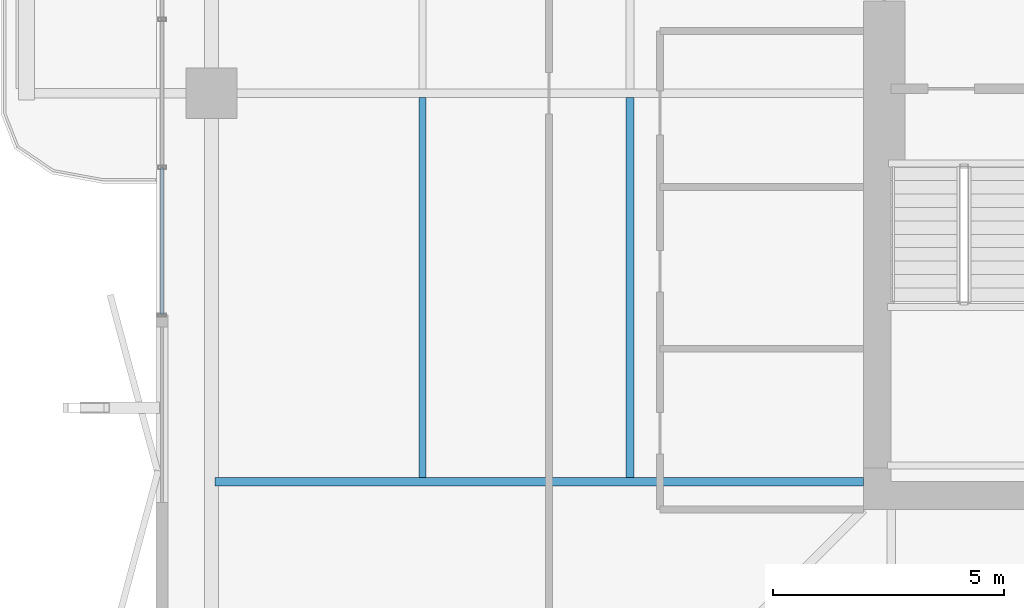
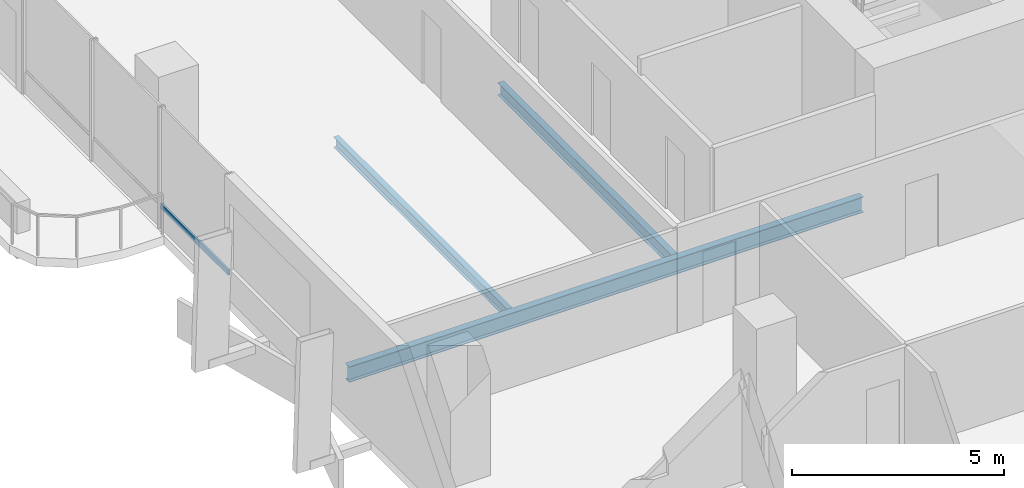
# One storey, part 5 of 25: 3 beams, 1 member, 1 element without a shape of its own.
"""IFC4 building model written with IfcOpenShell, lengths in metres."""

from ifc_helpers import new_model, si_unit, direction, frame, origin, origin_2d, place, context, subcontext, project, spatial, hollow_rectangle, i_section, extrude, material, layer, layer_set, material_profile, profile_set, type_object, element, aggregate, save


model = new_model("IFC4")

# Units and contexts
model_context = context("Model", 3, precision=1e-05, world=origin(), true_north=direction((0.0, 1.0)))
body_context = subcontext(model_context, "Body", "Model", "MODEL_VIEW")
ifc_project = project(units=[si_unit("LENGTHUNIT", "METRE"), si_unit("AREAUNIT", "SQUARE_METRE"), si_unit("VOLUMEUNIT", "CUBIC_METRE"), si_unit("PLANEANGLEUNIT", "RADIAN"), si_unit("MASSUNIT", "GRAM", prefix="KILO")], contexts=[model_context])

# Site, building, storey
site_placement = place(None, origin())
site = spatial("IfcSite", under=ifc_project, at=site_placement, CompositionType="ELEMENT")
building_placement = place(site_placement, origin())
building = spatial("IfcBuilding", under=site, at=building_placement, Name="Belovzor Exchange Tower", CompositionType="ELEMENT")
storey_placement = place(building_placement, frame((0.0, 0.0, 149.550048828125)))
storey = spatial("IfcBuildingStorey", under=building, at=storey_placement, Name="L36", CompositionType="ELEMENT", Elevation=149.550048828125)

# Beams
ifc_material_1 = material(Name="Steel S355", Category="steel")
ifc_material_profile_1 = material_profile(ifc_material_1, i_section(OverallWidth=0.169921875, OverallDepth=0.360107421875, WebThickness=0.008056640625, FlangeThickness=0.0126953125, at=origin_2d()))
ifc_profile_set_1 = profile_set([ifc_material_profile_1], Name="Steel S355")
beam_type_1 = type_object("IfcBeamType", Name="Secondary Infill Floor Joist IPE 360", PredefinedType="BEAM", material=ifc_profile_set_1)
beam_1_placement = place(storey_placement, frame((14.7509765625, 20.4951171875, -0.43505859375), z_axis=(0.0, 1.0, 0.0), x_axis=(-1.0, 0.0, 0.0)))
element("IfcBeam", 1, at=beam_1_placement, inside=storey, type_object=beam_type_1, Name="FJ-360 Secondary Infill Floor Joist IPE 360", PredefinedType="BEAM", context=body_context, shape_type="SweptSolid", body=[
    extrude(i_section(OverallWidth=0.169921875, OverallDepth=0.360107421875, WebThickness=0.008056640625, FlangeThickness=0.0126953125, at=origin_2d()), origin(), (0.0, 0.0, 1.0), 8.2099609375),
])
ifc_material_2 = material(Name="Steel S355", Category="steel")
ifc_material_profile_2 = material_profile(ifc_material_2, i_section(OverallWidth=0.14990234375, OverallDepth=0.300048828125, WebThickness=0.007080078125, FlangeThickness=0.0107421875, at=origin_2d()))
ifc_profile_set_2 = profile_set([ifc_material_profile_2], Name="Steel S355")
beam_type_2 = type_object("IfcBeamType", Name="Secondary Trim Floor Joist IPE 300", PredefinedType="BEAM", material=ifc_profile_set_2)
beam_2_placement = place(storey_placement, frame((10.262939453125, 20.4951171875, -0.405029296875), z_axis=(0.0, 1.0, 0.0), x_axis=(-1.0, 0.0, 0.0)))
element("IfcBeam", 2, at=beam_2_placement, inside=storey, type_object=beam_type_2, Name="FJ-300 Secondary Trim Floor Joist IPE 300", PredefinedType="BEAM", context=body_context, shape_type="SweptSolid", body=[
    extrude(i_section(OverallWidth=0.14990234375, OverallDepth=0.300048828125, WebThickness=0.007080078125, FlangeThickness=0.0107421875, at=origin_2d()), origin(), (0.0, 0.0, 1.0), 8.2099609375),
])

# Curtain wall, member
ifc_material_3 = material(Name="Anodised Aluminium Framing", Category="aluminium")
ifc_layer = layer(ifc_material_3, 0.179931640625)
ifc_layer_set = layer_set([ifc_layer], Name="Anodised Aluminium Framing")
curtain_wall_type = type_object("IfcCurtainWallType", Name="Recessed Loggia Low-Iron Triple-Glazed Curtain Wall", PredefinedType="NOTDEFINED", material=ifc_layer_set)
curtain_wall_placement = place(storey_placement, origin())
curtain_wall = element("IfcCurtainWall", 3, at=curtain_wall_placement, inside=storey, type_object=curtain_wall_type, Name="CW3 Recessed Loggia Low-Iron Triple-Glazed Curtain Wall L36", PredefinedType="NOTDEFINED")
ifc_material_4 = material(Name="Steel S355", Category="steel")
ifc_material_profile_3 = material_profile(ifc_material_4, hollow_rectangle(XDim=0.06005859375, YDim=0.14990234375, WallThickness=0.00390625, at=origin_2d()))
ifc_profile_set_3 = profile_set([ifc_material_profile_3], Name="Steel S355")
member_type = type_object("IfcMemberType", Name="Thermally Broken Curtain Wall Transom 150x60", PredefinedType="USERDEFINED", material=ifc_profile_set_3)
member_placement = place(storey_placement, frame((4.6298828125, 24.008056640625, 0.62890625), z_axis=(0.0, 1.0, 0.0), x_axis=(-1.0, 0.0, 0.0)))
member = element("IfcMember", 4, at=member_placement, type_object=member_type, Name="CW-T150 Curtain Wall Transom 1", ObjectType="TRANSOM", PredefinedType="USERDEFINED", context=body_context, shape_type="SweptSolid", body=[
    extrude(hollow_rectangle(XDim=0.06005859375, YDim=0.14990234375, WallThickness=0.00390625, at=origin_2d()), origin(), (0.0, 0.0, 1.0), 3.183837890625),
])
aggregate(curtain_wall, [member])

# Beam
ifc_material_5 = material(Name="Steel S355", Category="steel")
ifc_material_profile_4 = material_profile(ifc_material_5, i_section(OverallWidth=0.18994140625, OverallDepth=0.449951171875, WebThickness=0.009521484375, FlangeThickness=0.0146484375, at=origin_2d()))
ifc_profile_set_4 = profile_set([ifc_material_profile_4], Name="Steel S355")
beam_type_3 = type_object("IfcBeamType", Name="Zone 2-4 Radial Composite Floor Beam IPE 450", PredefinedType="BEAM", material=ifc_profile_set_4)
beam_3_placement = place(storey_placement, frame((19.800048828125, 20.39990234375, -0.47998046875), z_axis=(-1.0, 0.0, 0.0), x_axis=(0.0, -1.0, 0.0)))
element("IfcBeam", 5, at=beam_3_placement, inside=storey, type_object=beam_type_3, Name="FB-450 Zone 2-4 Radial Composite Floor Beam IPE 450", PredefinedType="BEAM", context=body_context, shape_type="SweptSolid", body=[
    extrude(i_section(OverallWidth=0.18994140625, OverallDepth=0.449951171875, WebThickness=0.009521484375, FlangeThickness=0.0146484375, at=origin_2d()), origin(), (0.0, 0.0, 1.0), 14.025146484375),
])

save(model, "model.ifc")
